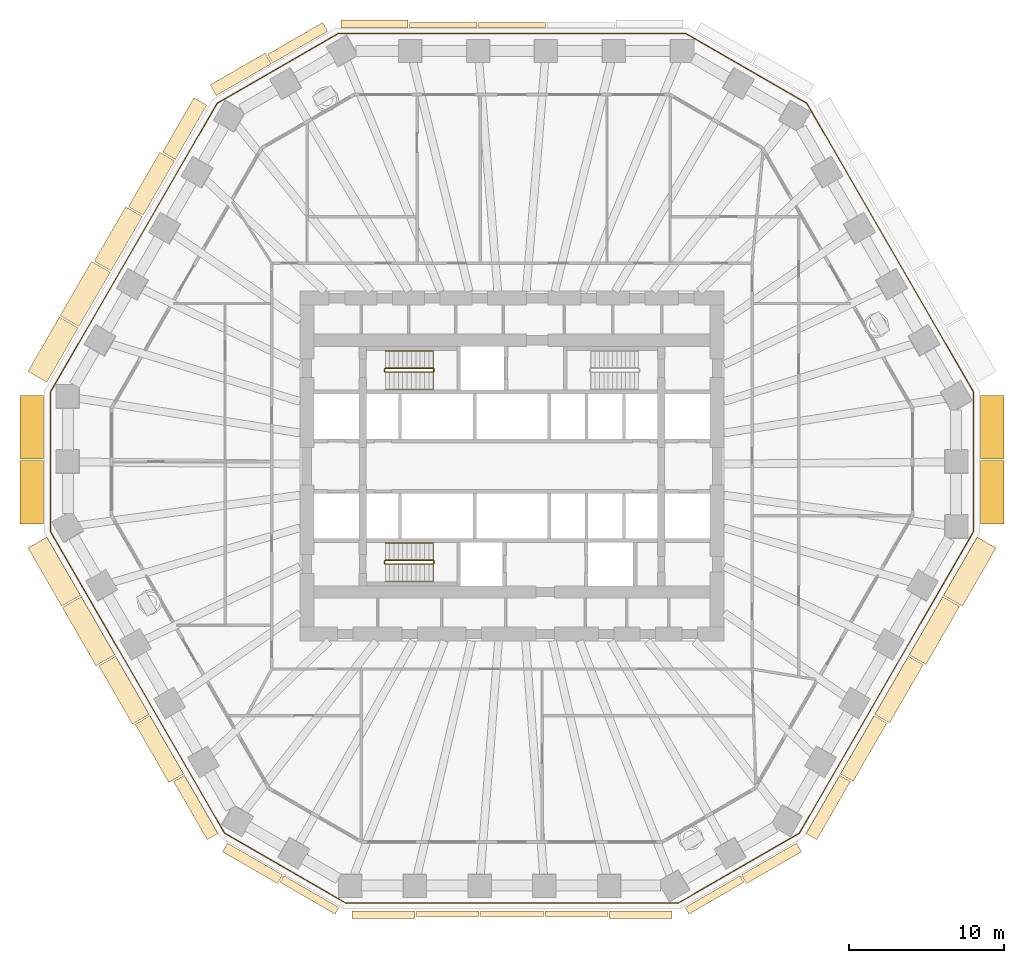
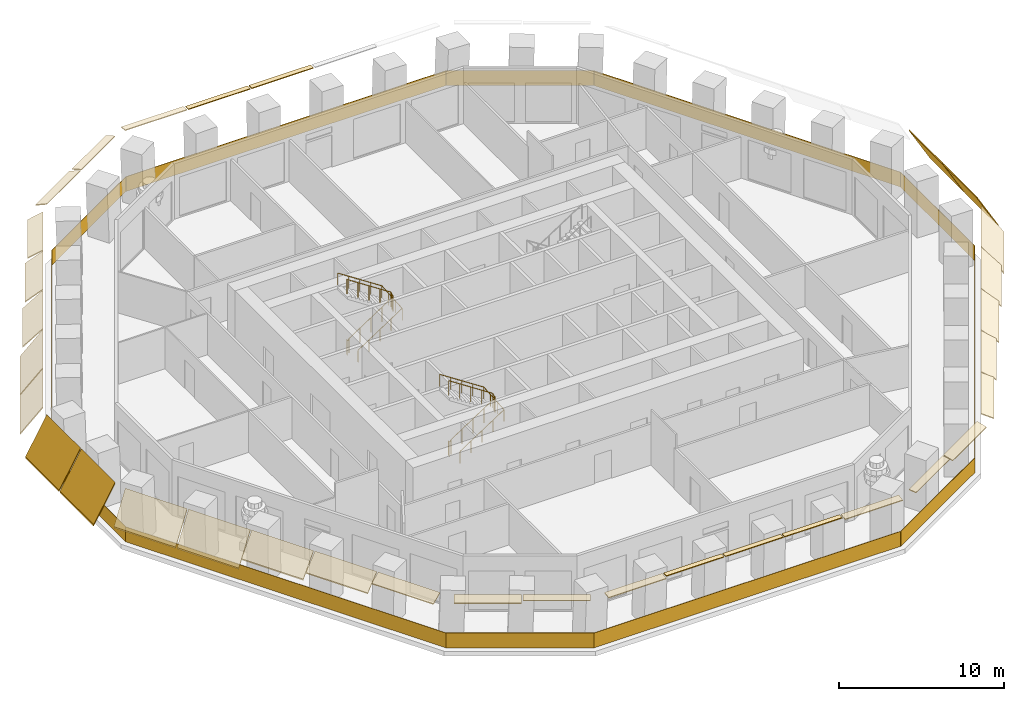
# One storey, part 10 of 13: 33 coverings, 5 railings.
"""IFC4 building model written with IfcOpenShell, lengths in metres."""

from ifc_helpers import new_model, si_unit, direction, frame, origin, origin_2d, place, context, subcontext, project, spatial, polyline, rectangle, circle, outline, extrude, material, layer, layer_set, type_object, element, save


model = new_model("IFC4")

# Units and contexts
model_context = context("Model", 3, precision=1e-05, world=origin(), true_north=direction((0.0, 1.0)))
body_context = subcontext(model_context, "Body", "Model", "MODEL_VIEW")
ifc_project = project(units=[si_unit("LENGTHUNIT", "METRE"), si_unit("AREAUNIT", "SQUARE_METRE"), si_unit("VOLUMEUNIT", "CUBIC_METRE"), si_unit("PLANEANGLEUNIT", "RADIAN"), si_unit("MASSUNIT", "GRAM", prefix="KILO")], contexts=[model_context])

# Site, building, storey
site_placement = place(None, origin())
site = spatial("IfcSite", under=ifc_project, at=site_placement, CompositionType="ELEMENT")
building_placement = place(site_placement, origin())
building = spatial("IfcBuilding", under=site, at=building_placement, Name="Frailejon Research Tower", CompositionType="ELEMENT")
storey_placement = place(building_placement, frame((0.0, 0.0, 23.39990234375)))
storey = spatial("IfcBuildingStorey", under=building, at=storey_placement, Name="L05", CompositionType="ELEMENT", Elevation=23.39990234375)

# Coverings
ifc_material_1 = material(Name="Precast concrete C50/60", Category="concrete")
ifc_layer_1 = layer(ifc_material_1, 0.06005859375)
ifc_layer_set_1 = layer_set([ifc_layer_1], Name="Brim blade depth 1100")
covering_type_1 = type_object("IfcCoveringType", Name="Brim blade depth 1100", PredefinedType="CLADDING", material=ifc_layer_set_1)
covering_1_placement = place(storey_placement, frame((-23.72216796875, 16.1416015625, 4.25), z_axis=(0.500005682111, 0.866022123192, 0.0), x_axis=(-0.866022123192, 0.500005682111, 0.0)))
element("IfcCovering", 1, at=covering_1_placement, inside=storey, type_object=covering_type_1, Name="Brim blade L05", PredefinedType="CLADDING", context=body_context, shape_type="SweptSolid", body=[
    extrude(outline(polyline([(0.0, -0.078369140625), (1.10009765625, -1.001220703125), (1.10009765625, -0.923095703125), (0.0, 0.0), (0.0, -0.078369140625)])), origin(), (0.0, 0.0, 1.0), 4.0361328125),
])
for number, where, z_axis, x_axis, name in (
    (2, (-21.129150390625, -19.802978515625, 4.25), (-0.50000489216, 0.866022579276, 0.0), (-0.866022579276, -0.50000489216, 0.0), "Brim blade L05"),
    (3, (25.502685546875, -12.227783203125, 4.25), (-0.499995103022, -0.866028231038, 0.0), (0.866028231038, -0.499995103022, 0.0), "Brim blade L05"),
):
    element("IfcCovering", number, at=place(storey_placement, frame(where, z_axis=z_axis, x_axis=x_axis)), inside=storey, type_object=covering_type_1, Name=name, PredefinedType="CLADDING", context=body_context, shape_type="SweptSolid", body=[
        extrude(outline(polyline([(0.0, -0.078369140625), (1.10009765625, -1.001220703125), (1.10009765625, -0.923095703125), (0.0, 0.0), (0.0, -0.078369140625)])), origin(), (0.0, 0.0, 1.0), 4.323486328125),
    ])
ifc_material_2 = material(Name="Precast concrete C50/60", Category="concrete")
ifc_layer_2 = layer(ifc_material_2, 0.06005859375)
ifc_layer_set_2 = layer_set([ifc_layer_2], Name="Brim blade depth 1250")
covering_type_2 = type_object("IfcCoveringType", Name="Brim blade depth 1250", PredefinedType="CLADDING", material=ifc_layer_set_2)
covering_2_placement = place(storey_placement, frame((-25.790283203125, 12.559814453125, 4.25), z_axis=(0.500005682111, 0.866022123192, 0.0), x_axis=(-0.866022123192, 0.500005682111, 0.0)))
element("IfcCovering", 4, at=covering_2_placement, inside=storey, type_object=covering_type_2, Name="Brim blade L05", PredefinedType="CLADDING", context=body_context, shape_type="SweptSolid", body=[
    extrude(outline(polyline([(0.0, -0.0888671875), (1.25, -1.452880859375), (1.25, -1.364013671875), (0.0, 0.0), (0.0, -0.0888671875)])), origin(), (0.0, 0.0, 1.0), 4.0361328125),
])
for number, where, z_axis, x_axis, name in (
    (5, (-23.341064453125, -15.97216796875, 4.25), (-0.499995103022, 0.866028231038, 0.0), (-0.866028231038, -0.499995103022, 0.0), "Brim blade L05"),
    (6, (27.714599609375, -8.39697265625, 4.25), (-0.499987937108, -0.866032368187, 0.0), (0.866032368187, -0.499987937108, 0.0), "Brim blade L05"),
):
    element("IfcCovering", number, at=place(storey_placement, frame(where, z_axis=z_axis, x_axis=x_axis)), inside=storey, type_object=covering_type_2, Name=name, PredefinedType="CLADDING", context=body_context, shape_type="SweptSolid", body=[
        extrude(outline(polyline([(0.0, -0.0888671875), (1.25, -1.452880859375), (1.25, -1.364013671875), (0.0, 0.0), (0.0, -0.0888671875)])), origin(), (0.0, 0.0, 1.0), 4.323486328125),
    ])
ifc_material_3 = material(Name="Precast concrete C50/60", Category="concrete")
ifc_layer_3 = layer(ifc_material_3, 0.06005859375)
ifc_layer_set_3 = layer_set([ifc_layer_3], Name="Brim blade depth 1400")
covering_type_3 = type_object("IfcCoveringType", Name="Brim blade depth 1400", PredefinedType="CLADDING", material=ifc_layer_set_3)
for number, where, z_axis, x_axis, name in (
    (7, (-27.858154296875, 8.977783203125, 4.25), (0.49998754911, 0.86603259219, 0.0), (-0.86603259219, 0.49998754911, 0.0), "Brim blade L05"),
    (8, (-29.92626953125, 5.395751953125, 4.25), (0.500005682111, 0.866022123192, 0.0), (-0.866022123192, 0.500005682111, 0.0), "Brim blade L05"),
):
    element("IfcCovering", number, at=place(storey_placement, frame(where, z_axis=z_axis, x_axis=x_axis)), inside=storey, type_object=covering_type_3, Name=name, PredefinedType="CLADDING", context=body_context, shape_type="SweptSolid", body=[
        extrude(outline(polyline([(0.0, -0.1044921875), (1.39990234375, -2.10400390625), (1.39990234375, -1.99951171875), (0.0, 0.0), (0.0, -0.1044921875)])), origin(), (0.0, 0.0, 1.0), 4.0361328125),
    ])
for number, where, z_axis, x_axis, name in (
    (9, (-27.764404296875, -8.310302734375, 4.25), (-0.50000489216, 0.866022579276, 0.0), (-0.866022579276, -0.50000489216, 0.0), "Brim blade L05"),
    (10, (-25.552734375, -12.14111328125, 4.25), (-0.499987937108, 0.866032368187, 0.0), (-0.866032368187, -0.499987937108, 0.0), "Brim blade L05"),
    (11, (29.92626953125, -4.56591796875, 4.25), (-0.50000489216, -0.866022579276, 0.0), (0.866022579276, -0.50000489216, 0.0), "Brim blade L05"),
):
    element("IfcCovering", number, at=place(storey_placement, frame(where, z_axis=z_axis, x_axis=x_axis)), inside=storey, type_object=covering_type_3, Name=name, PredefinedType="CLADDING", context=body_context, shape_type="SweptSolid", body=[
        extrude(outline(polyline([(0.0, -0.1044921875), (1.39990234375, -2.10400390625), (1.39990234375, -1.99951171875), (0.0, 0.0), (0.0, -0.1044921875)])), origin(), (0.0, 0.0, 1.0), 4.323486328125),
    ])
ifc_material_4 = material(Name="Precast concrete C50/60", Category="concrete")
ifc_layer_4 = layer(ifc_material_4, 0.06005859375)
ifc_layer_set_4 = layer_set([ifc_layer_4], Name="Brim blade depth 1500")
covering_type_4 = type_object("IfcCoveringType", Name="Brim blade depth 1500", PredefinedType="CLADDING", material=ifc_layer_set_4)
covering_3_placement = place(storey_placement, frame((30.15234375, 0.36474609375, 4.25), z_axis=(0.0, -1.0, 0.0), x_axis=(1.0, 0.0, 0.0)))
element("IfcCovering", 12, at=covering_3_placement, inside=storey, type_object=covering_type_4, Name="Brim blade L05", PredefinedType="CLADDING", context=body_context, shape_type="SweptSolid", body=[
    extrude(outline(polyline([(0.0, -0.1201171875), (1.5, -2.718017578125), (1.5, -2.59814453125), (0.0, 0.0), (0.0, -0.1201171875)])), origin(), (0.0, 0.0, 1.0), 4.08740234375),
])
for number, where, z_axis, x_axis, name in (
    (13, (30.15234375, 4.552490234375, 4.25), (0.0, -1.0, 0.0), (1.0, 0.0, 0.0), "Brim blade L05"),
    (14, (-30.15234375, 0.46484375, 4.25), (0.0, 1.0, 0.0), (-1.0, 0.0, 0.0), "Brim blade L05"),
):
    element("IfcCovering", number, at=place(storey_placement, frame(where, z_axis=z_axis, x_axis=x_axis)), inside=storey, type_object=covering_type_4, Name=name, PredefinedType="CLADDING", context=body_context, shape_type="SweptSolid", body=[
        extrude(outline(polyline([(0.0, -0.1201171875), (1.5, -2.718017578125), (1.5, -2.59814453125), (0.0, 0.0), (0.0, -0.1201171875)])), origin(), (0.0, 0.0, 1.0), 4.087646484375),
    ])
covering_4_placement = place(storey_placement, frame((-30.15234375, -3.72265625, 4.25), z_axis=(0.0, 1.0, 0.0), x_axis=(-1.0, 0.0, 0.0)))
element("IfcCovering", 15, at=covering_4_placement, inside=storey, type_object=covering_type_4, Name="Brim blade L05", PredefinedType="CLADDING", context=body_context, shape_type="SweptSolid", body=[
    extrude(outline(polyline([(0.0, -0.1201171875), (1.5, -2.718017578125), (1.5, -2.59814453125), (0.0, 0.0), (0.0, -0.1201171875)])), origin(), (0.0, 0.0, 1.0), 4.08740234375),
])
ifc_material_5 = material(Name="Precast concrete C50/60", Category="concrete")
ifc_layer_5 = layer(ifc_material_5, 0.06005859375)
ifc_layer_set_5 = layer_set([ifc_layer_5], Name="Brim blade depth 350")
covering_type_5 = type_object("IfcCoveringType", Name="Brim blade depth 350", PredefinedType="CLADDING", material=ifc_layer_set_5)
for number, where, z_axis, x_axis, name in (
    (16, (-2.161865234375, 28.199951171875, 4.25), (1.0, 0.0, 0.0), (0.0, 1.0, 0.0), "Brim blade L05"),
    (17, (-6.585205078125, 28.199951171875, 4.25), (1.0, 0.0, 0.0), (0.0, 1.0, 0.0), "Brim blade L05"),
):
    element("IfcCovering", number, at=place(storey_placement, frame(where, z_axis=z_axis, x_axis=x_axis)), inside=storey, type_object=covering_type_5, Name=name, PredefinedType="CLADDING", context=body_context, shape_type="SweptSolid", body=[
        extrude(outline(polyline([(0.0, -0.06005859375), (0.35009765625, -0.06005859375), (0.35009765625, 0.0), (0.0, 0.0), (0.0, -0.06005859375)])), origin(), (0.0, 0.0, 1.0), 4.323486328125),
    ])
for number, where, z_axis, x_axis, name in (
    (18, (-2.1181640625, -28.61474609375, 4.25), (-1.0, 0.0, 0.0), (0.0, -1.0, 0.0), "Brim blade L05"),
    (19, (2.01806640625, -28.61474609375, 4.25), (-1.0, 0.0, 0.0), (0.0, -1.0, 0.0), "Brim blade L05"),
    (20, (6.154296875, -28.61474609375, 4.25), (-1.0, 0.0, 0.0), (0.0, -1.0, 0.0), "Brim blade L05"),
):
    element("IfcCovering", number, at=place(storey_placement, frame(where, z_axis=z_axis, x_axis=x_axis)), inside=storey, type_object=covering_type_5, Name=name, PredefinedType="CLADDING", context=body_context, shape_type="SweptSolid", body=[
        extrude(outline(polyline([(0.0, -0.06005859375), (0.35009765625, -0.06005859375), (0.35009765625, 0.0), (0.0, 0.0), (0.0, -0.06005859375)])), origin(), (0.0, 0.0, 1.0), 4.0361328125),
    ])
ifc_material_6 = material(Name="Precast concrete C50/60", Category="concrete")
ifc_layer_6 = layer(ifc_material_6, 0.06005859375)
ifc_layer_set_6 = layer_set([ifc_layer_6], Name="Brim blade depth 500")
covering_type_6 = type_object("IfcCoveringType", Name="Brim blade depth 500", PredefinedType="CLADDING", material=ifc_layer_set_6)
covering_5_placement = place(storey_placement, frame((-11.0087890625, 28.199951171875, 4.25), z_axis=(1.0, 0.0, 0.0), x_axis=(0.0, 1.0, 0.0)))
element("IfcCovering", 21, at=covering_5_placement, inside=storey, type_object=covering_type_6, Name="Brim blade L05", PredefinedType="CLADDING", context=body_context, shape_type="SweptSolid", body=[
    extrude(outline(polyline([(0.0, -0.060546875), (0.5, -0.130859375), (0.5, -0.0703125), (0.0, 0.0), (0.0, -0.060546875)])), origin(), (0.0, 0.0, 1.0), 4.323486328125),
])
covering_6_placement = place(storey_placement, frame((-11.1337890625, -28.388916015625, 4.25), z_axis=(-0.866021344981, 0.500007029989, 0.0), x_axis=(-0.500007029989, -0.866021344981, 0.0)))
element("IfcCovering", 22, at=covering_6_placement, inside=storey, type_object=covering_type_6, Name="Brim blade L05", PredefinedType="CLADDING", context=body_context, shape_type="SweptSolid", body=[
    extrude(outline(polyline([(0.0, -0.060546875), (0.5, -0.130859375), (0.5, -0.0703125), (0.0, 0.0), (0.0, -0.060546875)])), origin(), (0.0, 0.0, 1.0), 4.08740234375),
])
for number, where, z_axis, x_axis, name in (
    (23, (-6.254150390625, -28.61474609375, 4.25), (-1.0, 0.0, 0.0), (0.0, -1.0, 0.0), "Brim blade L05"),
    (24, (10.290283203125, -28.61474609375, 4.25), (-1.0, 0.0, 0.0), (0.0, -1.0, 0.0), "Brim blade L05"),
):
    element("IfcCovering", number, at=place(storey_placement, frame(where, z_axis=z_axis, x_axis=x_axis)), inside=storey, type_object=covering_type_6, Name=name, PredefinedType="CLADDING", context=body_context, shape_type="SweptSolid", body=[
        extrude(outline(polyline([(0.0, -0.060546875), (0.5, -0.130859375), (0.5, -0.0703125), (0.0, 0.0), (0.0, -0.060546875)])), origin(), (0.0, 0.0, 1.0), 4.0361328125),
    ])
covering_7_placement = place(storey_placement, frame((14.673583984375, -26.344970703125, 4.25), z_axis=(-0.866021344981, -0.500007029989, 0.0), x_axis=(0.500007029989, -0.866021344981, 0.0)))
element("IfcCovering", 25, at=covering_7_placement, inside=storey, type_object=covering_type_6, Name="Brim blade L05", PredefinedType="CLADDING", context=body_context, shape_type="SweptSolid", body=[
    extrude(outline(polyline([(0.0, -0.060546875), (0.5, -0.130859375), (0.5, -0.0703125), (0.0, 0.0), (0.0, -0.060546875)])), origin(), (0.0, 0.0, 1.0), 4.08740234375),
])
ifc_material_7 = material(Name="Precast concrete C50/60", Category="concrete")
ifc_layer_7 = layer(ifc_material_7, 0.06005859375)
ifc_layer_set_7 = layer_set([ifc_layer_7], Name="Brim blade depth 650")
covering_type_7 = type_object("IfcCoveringType", Name="Brim blade depth 650", PredefinedType="CLADDING", material=ifc_layer_set_7)
for number, where, z_axis, x_axis, name in (
    (26, (-15.39208984375, 25.93017578125, 4.25), (0.866021344981, 0.500007029989, 0.0), (-0.500007029989, 0.866021344981, 0.0), "Brim blade L05"),
    (27, (-14.76025390625, -26.294921875, 4.25), (-0.866031685881, 0.499989118931, 0.0), (-0.499989118931, -0.866031685881, 0.0), "Brim blade L05"),
    (28, (18.300048828125, -24.251220703125, 4.25), (-0.866031685881, -0.499989118931, 0.0), (0.499989118931, -0.866031685881, 0.0), "Brim blade L05"),
):
    element("IfcCovering", number, at=place(storey_placement, frame(where, z_axis=z_axis, x_axis=x_axis)), inside=storey, type_object=covering_type_7, Name=name, PredefinedType="CLADDING", context=body_context, shape_type="SweptSolid", body=[
        extrude(outline(polyline([(0.0, -0.0625), (0.64990234375, -0.248779296875), (0.64990234375, -0.186279296875), (0.0, 0.0), (0.0, -0.0625)])), origin(), (0.0, 0.0, 1.0), 4.08740234375),
    ])
ifc_material_8 = material(Name="Precast concrete C50/60", Category="concrete")
ifc_layer_8 = layer(ifc_material_8, 0.06005859375)
ifc_layer_set_8 = layer_set([ifc_layer_8], Name="Brim blade depth 800")
covering_type_8 = type_object("IfcCoveringType", Name="Brim blade depth 800", PredefinedType="CLADDING", material=ifc_layer_set_8)
covering_8_placement = place(storey_placement, frame((-19.0185546875, 23.83642578125, 4.25), z_axis=(0.866021344981, 0.500007029989, 0.0), x_axis=(-0.500007029989, 0.866021344981, 0.0)))
element("IfcCovering", 29, at=covering_8_placement, inside=storey, type_object=covering_type_8, Name="Brim blade L05", PredefinedType="CLADDING", context=body_context, shape_type="SweptSolid", body=[
    extrude(outline(polyline([(0.0, -0.065673828125), (0.800048828125, -0.421875), (0.800048828125, -0.356201171875), (0.0, 0.0), (0.0, -0.065673828125)])), origin(), (0.0, 0.0, 1.0), 4.08740234375),
])
for number, where, z_axis, x_axis, name in (
    (30, (-18.91748046875, -23.634033203125, 4.25), (-0.50000489216, 0.866022579276, 0.0), (-0.866022579276, -0.50000489216, 0.0), "Brim blade L05"),
    (31, (21.0791015625, -19.8896484375, 4.25), (-0.50000489216, -0.866022579276, 0.0), (0.866022579276, -0.50000489216, 0.0), "Brim blade L05"),
):
    element("IfcCovering", number, at=place(storey_placement, frame(where, z_axis=z_axis, x_axis=x_axis)), inside=storey, type_object=covering_type_8, Name=name, PredefinedType="CLADDING", context=body_context, shape_type="SweptSolid", body=[
        extrude(outline(polyline([(0.0, -0.065673828125), (0.800048828125, -0.421875), (0.800048828125, -0.356201171875), (0.0, 0.0), (0.0, -0.065673828125)])), origin(), (0.0, 0.0, 1.0), 4.323486328125),
    ])
ifc_material_9 = material(Name="Precast concrete C50/60", Category="concrete")
ifc_layer_9 = layer(ifc_material_9, 0.06005859375)
ifc_layer_set_9 = layer_set([ifc_layer_9], Name="Brim blade depth 950")
covering_type_9 = type_object("IfcCoveringType", Name="Brim blade depth 950", PredefinedType="CLADDING", material=ifc_layer_set_9)
covering_9_placement = place(storey_placement, frame((-21.654052734375, 19.7236328125, 4.25), z_axis=(0.500005682111, 0.866022123192, 0.0), x_axis=(-0.866022123192, 0.500005682111, 0.0)))
element("IfcCovering", 32, at=covering_9_placement, inside=storey, type_object=covering_type_9, Name="Brim blade L05", PredefinedType="CLADDING", context=body_context, shape_type="SweptSolid", body=[
    extrude(outline(polyline([(0.0, -0.07080078125), (0.949951171875, -0.664306640625), (0.949951171875, -0.593505859375), (0.0, 0.0), (0.0, -0.07080078125)])), origin(), (0.0, 0.0, 1.0), 4.0361328125),
])
covering_10_placement = place(storey_placement, frame((23.291015625, -16.058837890625, 4.25), z_axis=(-0.50000489216, -0.866022579276, 0.0), x_axis=(0.866022579276, -0.50000489216, 0.0)))
element("IfcCovering", 33, at=covering_10_placement, inside=storey, type_object=covering_type_9, Name="Brim blade L05", PredefinedType="CLADDING", context=body_context, shape_type="SweptSolid", body=[
    extrude(outline(polyline([(0.0, -0.07080078125), (0.949951171875, -0.664306640625), (0.949951171875, -0.593505859375), (0.0, 0.0), (0.0, -0.07080078125)])), origin(), (0.0, 0.0, 1.0), 4.323486328125),
])

# Railings
ifc_material_10 = material(Name="Laminated glass balustrade", Category="glass")
railing_type_1 = type_object("IfcRailingType", Name="Glass guard 1100", PredefinedType="GUARDRAIL", material=ifc_material_10)
railing_1_placement = place(storey_placement, frame((29.693359375, -4.211181640625, 0.0)))
element("IfcRailing", 34, at=railing_1_placement, inside=storey, type_object=railing_type_1, Name="Loggia guard L05", PredefinedType="GUARDRAIL", context=body_context, shape_type="SweptSolid", body=[
    extrude(rectangle(XDim=8.9755859375, YDim=0.030029296875, at=origin_2d()), frame((0.0, 4.48779296875, 0.0), z_axis=(0.0, 0.0, 1.0), x_axis=(0.0, 1.0, 0.0)), (0.0, 0.0, 1.0), 1.10009765625),
    extrude(rectangle(XDim=21.441162109375, YDim=0.030029296875, at=origin_2d()), frame((-5.3603515625, 18.259765625, 0.0), z_axis=(0.0, 0.0, 1.0), x_axis=(-0.499995478754, 0.866028014111, 0.0)), (0.0, 0.0, 1.0), 1.10009765625),
    extrude(rectangle(XDim=8.975830078125, YDim=0.030029296875, at=origin_2d()), frame((-14.607177734375, 29.7880859375, 0.0), z_axis=(0.0, 0.0, 1.0), x_axis=(-0.866035209449, 0.499983015706, 0.0)), (0.0, 0.0, 1.0), 1.10009765625),
    extrude(rectangle(XDim=22.39892578125, YDim=0.030029296875, at=origin_2d()), frame((-29.693359375, 32.031982421875, 0.0), z_axis=(0.0, 0.0, 1.0), x_axis=(-1.0, 0.0, 0.0)), (0.0, 0.0, 1.0), 1.10009765625),
    extrude(rectangle(XDim=8.975830078125, YDim=0.030029296875, at=origin_2d()), frame((-44.779541015625, 29.7880859375, 0.0), z_axis=(0.0, 0.0, 1.0), x_axis=(-0.866035209449, -0.499983015706, 0.0)), (0.0, 0.0, 1.0), 1.10009765625),
    extrude(rectangle(XDim=21.441162109375, YDim=0.030029296875, at=origin_2d()), frame((-54.0263671875, 18.259765625, 0.0), z_axis=(0.0, 0.0, 1.0), x_axis=(-0.499995478754, -0.866028014111, 0.0)), (0.0, 0.0, 1.0), 1.10009765625),
    extrude(rectangle(XDim=8.9755859375, YDim=0.030029296875, at=origin_2d()), frame((-59.38671875, 4.48779296875, 0.0), z_axis=(0.0, 0.0, 1.0), x_axis=(0.0, -1.0, 0.0)), (0.0, 0.0, 1.0), 1.10009765625),
    extrude(rectangle(XDim=22.399169921875, YDim=0.030029296875, at=origin_2d()), frame((-53.787109375, -9.69921875, 0.0), z_axis=(0.0, 0.0, 1.0), x_axis=(0.499992291408, -0.866029854296, 0.0)), (0.0, 0.0, 1.0), 1.10009765625),
    extrude(rectangle(XDim=8.975830078125, YDim=0.030029296875, at=origin_2d()), frame((-44.300537109375, -21.642333984375, 0.0), z_axis=(0.0, 0.0, 1.0), x_axis=(0.866035209449, -0.499983015706, 0.0)), (0.0, 0.0, 1.0), 1.10009765625),
    extrude(rectangle(XDim=21.44091796875, YDim=0.030029296875, at=origin_2d()), frame((-29.693359375, -23.88623046875, 0.0), z_axis=(0.0, 0.0, 1.0), x_axis=(1.0, 0.0, 0.0)), (0.0, 0.0, 1.0), 1.10009765625),
    extrude(rectangle(XDim=8.975830078125, YDim=0.030029296875, at=origin_2d()), frame((-15.086181640625, -21.642333984375, 0.0), z_axis=(0.0, 0.0, 1.0), x_axis=(0.866035209449, 0.499983015706, 0.0)), (0.0, 0.0, 1.0), 1.10009765625),
    extrude(rectangle(XDim=22.3291015625, YDim=0.030029296875, at=origin_2d()), frame((-5.6171875, -9.7294921875, 0.0), z_axis=(0.0, 0.0, 1.0), x_axis=(0.499990300855, 0.866031003516, 0.0)), (0.0, 0.0, 1.0), 1.10009765625),
])
ifc_material_11 = material(Name="Stainless steel", Category="steel")
railing_type_2 = type_object("IfcRailingType", Name="Stair guard 1100", PredefinedType="GUARDRAIL", material=ifc_material_11)
railing_2_placement = place(storey_placement, frame((-8.199951171875, 6.25, 0.0)))
element("IfcRailing", 35, at=railing_2_placement, inside=storey, type_object=railing_type_2, Name="L05 ST1 stair guard 1", PredefinedType="GUARDRAIL", context=body_context, shape_type="SweptSolid", body=[
    extrude(circle(Radius=0.02392578125, at=origin_2d()), frame((0.0, 0.0, 1.076171875), z_axis=(0.0, -1.0, 0.0), x_axis=(1.0, 0.0, 0.0)), (0.0, 0.0, 1.0), 0.14990234375),
    extrude(circle(Radius=0.02392578125, at=origin_2d()), frame((0.0, -0.14990234375, 1.076171875), z_axis=(0.254653276557, -0.254653276557, 0.932900539971), x_axis=(0.707106781187, 0.707106781187, 0.0)), (0.0, 0.0, 1.0), 0.196533203125),
    extrude(circle(Radius=0.02392578125, at=origin_2d()), frame((0.050048828125, -0.199951171875, 1.25927734375), z_axis=(0.836582707638, 0.0, 0.547840645882), x_axis=(0.0, 1.0, 0.0)), (0.0, 0.0, 1.0), 3.681396484375),
    extrude(circle(Radius=0.02392578125, at=origin_2d()), frame((3.1298828125, -0.199951171875, 3.2763671875), z_axis=(0.707106781187, 0.707106781187, 0.0), x_axis=(-0.707106781187, 0.707106781187, 0.0)), (0.0, 0.0, 1.0), 0.07080078125),
    extrude(circle(Radius=0.02392578125, at=origin_2d()), frame((3.179931640625, -0.14990234375, 3.2763671875), z_axis=(0.0, 1.0, 0.0), x_axis=(-1.0, 0.0, 0.0)), (0.0, 0.0, 1.0), 0.14990234375),
    extrude(circle(Radius=0.02392578125, at=origin_2d()), frame((3.179931640625, 0.0, 3.2763671875), z_axis=(-0.254653276557, 0.254653276557, 0.932900539971), x_axis=(-0.707106781187, -0.707106781187, 0.0)), (0.0, 0.0, 1.0), 0.196533203125),
    extrude(circle(Radius=0.02392578125, at=origin_2d()), frame((3.1298828125, 0.050048828125, 3.45947265625), z_axis=(-0.836613101238, 0.0, 0.547794230379), x_axis=(0.0, -1.0, 0.0)), (0.0, 0.0, 1.0), 3.681396484375),
    extrude(circle(Radius=0.02099609375, at=origin_2d()), origin(), (0.0, 0.0, 1.0), 1.052001953125),
    extrude(circle(Radius=0.02099609375, at=origin_2d()), frame((0.0, -0.14990234375, 0.0)), (0.0, 0.0, 1.0), 1.052001953125),
    extrude(circle(Radius=0.02099609375, at=origin_2d()), frame((0.050048828125, -0.199951171875, 0.183349609375)), (0.0, 0.0, 1.0), 1.052001953125),
    extrude(circle(Radius=0.02099609375, at=origin_2d()), frame((0.820068359375, -0.199951171875, 0.6875)), (0.0, 0.0, 1.0), 1.052001953125),
    extrude(circle(Radius=0.02099609375, at=origin_2d()), frame((1.58984375, -0.199951171875, 1.19189453125)), (0.0, 0.0, 1.0), 1.052001953125),
    extrude(circle(Radius=0.02099609375, at=origin_2d()), frame((2.35986328125, -0.199951171875, 1.696044921875)), (0.0, 0.0, 1.0), 1.052001953125),
    extrude(circle(Radius=0.02099609375, at=origin_2d()), frame((3.1298828125, -0.199951171875, 2.2001953125)), (0.0, 0.0, 1.0), 1.052001953125),
    extrude(circle(Radius=0.02099609375, at=origin_2d()), frame((3.179931640625, -0.14990234375, 2.2001953125)), (0.0, 0.0, 1.0), 1.052001953125),
    extrude(circle(Radius=0.02099609375, at=origin_2d()), frame((3.179931640625, 0.0, 2.2001953125)), (0.0, 0.0, 1.0), 1.052001953125),
    extrude(circle(Radius=0.02099609375, at=origin_2d()), frame((3.1298828125, 0.050048828125, 2.383544921875)), (0.0, 0.0, 1.0), 1.052001953125),
    extrude(circle(Radius=0.02099609375, at=origin_2d()), frame((2.35986328125, 0.050048828125, 2.8876953125)), (0.0, 0.0, 1.0), 1.052001953125),
    extrude(circle(Radius=0.02099609375, at=origin_2d()), frame((1.58984375, 0.050048828125, 3.391845703125)), (0.0, 0.0, 1.0), 1.052001953125),
    extrude(circle(Radius=0.02099609375, at=origin_2d()), frame((0.820068359375, 0.050048828125, 3.89599609375)), (0.0, 0.0, 1.0), 1.052001953125),
    extrude(circle(Radius=0.02099609375, at=origin_2d()), frame((0.050048828125, 0.050048828125, 4.400146484375)), (0.0, 0.0, 1.0), 1.052001953125),
])
railing_3_placement = place(storey_placement, frame((-8.199951171875, -6.10009765625, 0.0)))
element("IfcRailing", 36, at=railing_3_placement, inside=storey, type_object=railing_type_2, Name="L05 ST2 stair guard 1", PredefinedType="GUARDRAIL", context=body_context, shape_type="SweptSolid", body=[
    extrude(circle(Radius=0.02392578125, at=origin_2d()), frame((0.0, 0.0, 1.076171875), z_axis=(0.0, -1.0, 0.0), x_axis=(1.0, 0.0, 0.0)), (0.0, 0.0, 1.0), 0.14990234375),
    extrude(circle(Radius=0.02392578125, at=origin_2d()), frame((0.0, -0.14990234375, 1.076171875), z_axis=(0.254653276557, -0.254653276557, 0.932900539971), x_axis=(0.707106781187, 0.707106781187, 0.0)), (0.0, 0.0, 1.0), 0.196533203125),
    extrude(circle(Radius=0.02392578125, at=origin_2d()), frame((0.050048828125, -0.199951171875, 1.25927734375), z_axis=(0.836582707638, 0.0, 0.547840645882), x_axis=(0.0, 1.0, 0.0)), (0.0, 0.0, 1.0), 3.681396484375),
    extrude(circle(Radius=0.02392578125, at=origin_2d()), frame((3.1298828125, -0.199951171875, 3.2763671875), z_axis=(0.707106781187, 0.707106781187, 0.0), x_axis=(-0.707106781187, 0.707106781187, 0.0)), (0.0, 0.0, 1.0), 0.07080078125),
    extrude(circle(Radius=0.02392578125, at=origin_2d()), frame((3.179931640625, -0.14990234375, 3.2763671875), z_axis=(0.0, 1.0, 0.0), x_axis=(-1.0, 0.0, 0.0)), (0.0, 0.0, 1.0), 0.14990234375),
    extrude(circle(Radius=0.02392578125, at=origin_2d()), frame((3.179931640625, 0.0, 3.2763671875), z_axis=(-0.254653276557, 0.254653276557, 0.932900539971), x_axis=(-0.707106781187, -0.707106781187, 0.0)), (0.0, 0.0, 1.0), 0.196533203125),
    extrude(circle(Radius=0.02392578125, at=origin_2d()), frame((3.1298828125, 0.050048828125, 3.45947265625), z_axis=(-0.836613101238, 0.0, 0.547794230379), x_axis=(0.0, -1.0, 0.0)), (0.0, 0.0, 1.0), 3.681396484375),
    extrude(circle(Radius=0.02099609375, at=origin_2d()), origin(), (0.0, 0.0, 1.0), 1.052001953125),
    extrude(circle(Radius=0.02099609375, at=origin_2d()), frame((0.0, -0.14990234375, 0.0)), (0.0, 0.0, 1.0), 1.052001953125),
    extrude(circle(Radius=0.02099609375, at=origin_2d()), frame((0.050048828125, -0.199951171875, 0.183349609375)), (0.0, 0.0, 1.0), 1.052001953125),
    extrude(circle(Radius=0.02099609375, at=origin_2d()), frame((0.820068359375, -0.199951171875, 0.6875)), (0.0, 0.0, 1.0), 1.052001953125),
    extrude(circle(Radius=0.02099609375, at=origin_2d()), frame((1.58984375, -0.199951171875, 1.19189453125)), (0.0, 0.0, 1.0), 1.052001953125),
    extrude(circle(Radius=0.02099609375, at=origin_2d()), frame((2.35986328125, -0.199951171875, 1.696044921875)), (0.0, 0.0, 1.0), 1.052001953125),
    extrude(circle(Radius=0.02099609375, at=origin_2d()), frame((3.1298828125, -0.199951171875, 2.2001953125)), (0.0, 0.0, 1.0), 1.052001953125),
    extrude(circle(Radius=0.02099609375, at=origin_2d()), frame((3.179931640625, -0.14990234375, 2.2001953125)), (0.0, 0.0, 1.0), 1.052001953125),
    extrude(circle(Radius=0.02099609375, at=origin_2d()), frame((3.179931640625, 0.0, 2.2001953125)), (0.0, 0.0, 1.0), 1.052001953125),
    extrude(circle(Radius=0.02099609375, at=origin_2d()), frame((3.1298828125, 0.050048828125, 2.383544921875)), (0.0, 0.0, 1.0), 1.052001953125),
    extrude(circle(Radius=0.02099609375, at=origin_2d()), frame((2.35986328125, 0.050048828125, 2.8876953125)), (0.0, 0.0, 1.0), 1.052001953125),
    extrude(circle(Radius=0.02099609375, at=origin_2d()), frame((1.58984375, 0.050048828125, 3.391845703125)), (0.0, 0.0, 1.0), 1.052001953125),
    extrude(circle(Radius=0.02099609375, at=origin_2d()), frame((0.820068359375, 0.050048828125, 3.89599609375)), (0.0, 0.0, 1.0), 1.052001953125),
    extrude(circle(Radius=0.02099609375, at=origin_2d()), frame((0.050048828125, 0.050048828125, 4.400146484375)), (0.0, 0.0, 1.0), 1.052001953125),
])
ifc_material_12 = material(Name="Stainless steel", Category="steel")
railing_type_3 = type_object("IfcRailingType", Name="Stair handrail 900", PredefinedType="HANDRAIL", material=ifc_material_12)
railing_4_placement = place(storey_placement, frame((-8.14990234375, 4.949951171875, 0.183349609375)))
element("IfcRailing", 37, at=railing_4_placement, inside=storey, type_object=railing_type_3, Name="L05 ST1 stair handrail 1", PredefinedType="HANDRAIL", context=body_context, shape_type="SweptSolid", body=[
    extrude(circle(Radius=0.02392578125, at=origin_2d()), frame((0.0, 0.0, 0.8759765625), z_axis=(0.836582707638, 0.0, 0.547840645882), x_axis=(0.0, 1.0, 0.0)), (0.0, 0.0, 1.0), 3.681396484375),
    extrude(circle(Radius=0.02392578125, at=origin_2d()), frame((3.079833984375, 0.0, 2.892578125), z_axis=(0.0, 0.99721134034, 0.074629368868), x_axis=(-1.0, 0.0, 0.0)), (0.0, 0.0, 1.0), 2.456787109375),
    extrude(circle(Radius=0.02392578125, at=origin_2d()), frame((3.079833984375, 2.449951171875, 3.076171875), z_axis=(-0.836613101238, 0.0, 0.547794230379), x_axis=(0.0, -1.0, 0.0)), (0.0, 0.0, 1.0), 3.681396484375),
    extrude(circle(Radius=0.02099609375, at=origin_2d()), origin(), (0.0, 0.0, 1.0), 0.851806640625),
    extrude(circle(Radius=0.02099609375, at=origin_2d()), frame((0.77001953125, 0.0, 0.504150390625)), (0.0, 0.0, 1.0), 0.851806640625),
    extrude(circle(Radius=0.02099609375, at=origin_2d()), frame((1.5400390625, 0.0, 1.00830078125)), (0.0, 0.0, 1.0), 0.851806640625),
    extrude(circle(Radius=0.02099609375, at=origin_2d()), frame((2.309814453125, 0.0, 1.5126953125)), (0.0, 0.0, 1.0), 0.851806640625),
    extrude(circle(Radius=0.02099609375, at=origin_2d()), frame((3.079833984375, 0.0, 2.016845703125)), (0.0, 0.0, 1.0), 0.851806640625),
    extrude(circle(Radius=0.02099609375, at=origin_2d()), frame((3.079833984375, 0.816650390625, 2.077880859375)), (0.0, 0.0, 1.0), 0.851806640625),
    extrude(circle(Radius=0.02099609375, at=origin_2d()), frame((3.079833984375, 1.63330078125, 2.13916015625)), (0.0, 0.0, 1.0), 0.851806640625),
    extrude(circle(Radius=0.02099609375, at=origin_2d()), frame((3.079833984375, 2.449951171875, 2.2001953125)), (0.0, 0.0, 1.0), 0.851806640625),
    extrude(circle(Radius=0.02099609375, at=origin_2d()), frame((2.309814453125, 2.449951171875, 2.704345703125)), (0.0, 0.0, 1.0), 0.851806640625),
    extrude(circle(Radius=0.02099609375, at=origin_2d()), frame((1.5400390625, 2.449951171875, 3.20849609375)), (0.0, 0.0, 1.0), 0.851806640625),
    extrude(circle(Radius=0.02099609375, at=origin_2d()), frame((0.77001953125, 2.449951171875, 3.712646484375)), (0.0, 0.0, 1.0), 0.851806640625),
    extrude(circle(Radius=0.02099609375, at=origin_2d()), frame((0.0, 2.449951171875, 4.216796875)), (0.0, 0.0, 1.0), 0.851806640625),
])
railing_5_placement = place(storey_placement, frame((-8.14990234375, -7.39990234375, 0.183349609375)))
element("IfcRailing", 38, at=railing_5_placement, inside=storey, type_object=railing_type_3, Name="L05 ST2 stair handrail 1", PredefinedType="HANDRAIL", context=body_context, shape_type="SweptSolid", body=[
    extrude(circle(Radius=0.02392578125, at=origin_2d()), frame((0.0, 0.0, 0.8759765625), z_axis=(0.836582707638, 0.0, 0.547840645882), x_axis=(0.0, 1.0, 0.0)), (0.0, 0.0, 1.0), 3.681396484375),
    extrude(circle(Radius=0.02392578125, at=origin_2d()), frame((3.079833984375, 0.0, 2.892578125), z_axis=(0.0, 0.99721134034, 0.074629368868), x_axis=(-1.0, 0.0, 0.0)), (0.0, 0.0, 1.0), 2.456787109375),
    extrude(circle(Radius=0.02392578125, at=origin_2d()), frame((3.079833984375, 2.449951171875, 3.076171875), z_axis=(-0.836613101238, 0.0, 0.547794230379), x_axis=(0.0, -1.0, 0.0)), (0.0, 0.0, 1.0), 3.681396484375),
    extrude(circle(Radius=0.02099609375, at=origin_2d()), origin(), (0.0, 0.0, 1.0), 0.851806640625),
    extrude(circle(Radius=0.02099609375, at=origin_2d()), frame((0.77001953125, 0.0, 0.504150390625)), (0.0, 0.0, 1.0), 0.851806640625),
    extrude(circle(Radius=0.02099609375, at=origin_2d()), frame((1.5400390625, 0.0, 1.00830078125)), (0.0, 0.0, 1.0), 0.851806640625),
    extrude(circle(Radius=0.02099609375, at=origin_2d()), frame((2.309814453125, 0.0, 1.5126953125)), (0.0, 0.0, 1.0), 0.851806640625),
    extrude(circle(Radius=0.02099609375, at=origin_2d()), frame((3.079833984375, 0.0, 2.016845703125)), (0.0, 0.0, 1.0), 0.851806640625),
    extrude(circle(Radius=0.02099609375, at=origin_2d()), frame((3.079833984375, 0.816650390625, 2.077880859375)), (0.0, 0.0, 1.0), 0.851806640625),
    extrude(circle(Radius=0.02099609375, at=origin_2d()), frame((3.079833984375, 1.63330078125, 2.13916015625)), (0.0, 0.0, 1.0), 0.851806640625),
    extrude(circle(Radius=0.02099609375, at=origin_2d()), frame((3.079833984375, 2.449951171875, 2.2001953125)), (0.0, 0.0, 1.0), 0.851806640625),
    extrude(circle(Radius=0.02099609375, at=origin_2d()), frame((2.309814453125, 2.449951171875, 2.704345703125)), (0.0, 0.0, 1.0), 0.851806640625),
    extrude(circle(Radius=0.02099609375, at=origin_2d()), frame((1.5400390625, 2.449951171875, 3.20849609375)), (0.0, 0.0, 1.0), 0.851806640625),
    extrude(circle(Radius=0.02099609375, at=origin_2d()), frame((0.77001953125, 2.449951171875, 3.712646484375)), (0.0, 0.0, 1.0), 0.851806640625),
    extrude(circle(Radius=0.02099609375, at=origin_2d()), frame((0.0, 2.449951171875, 4.216796875)), (0.0, 0.0, 1.0), 0.851806640625),
])

save(model, "model.ifc")
